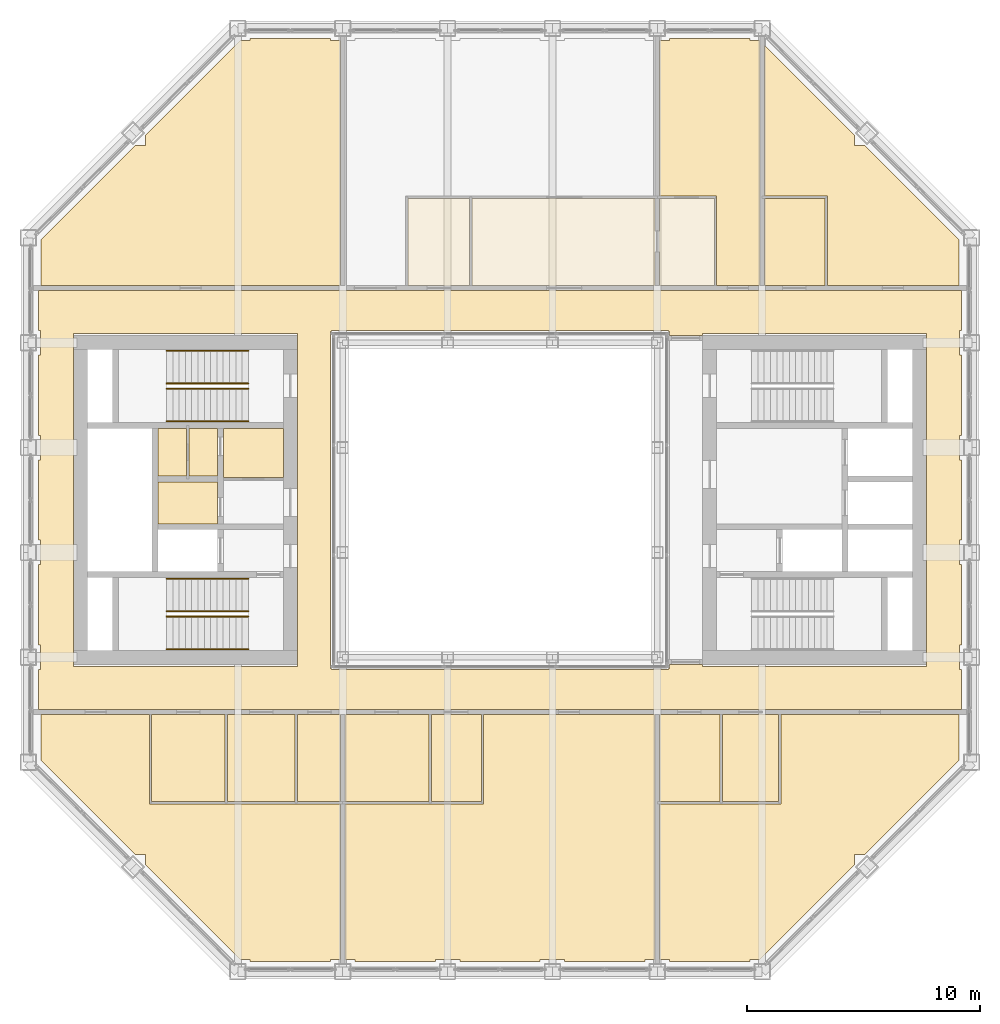
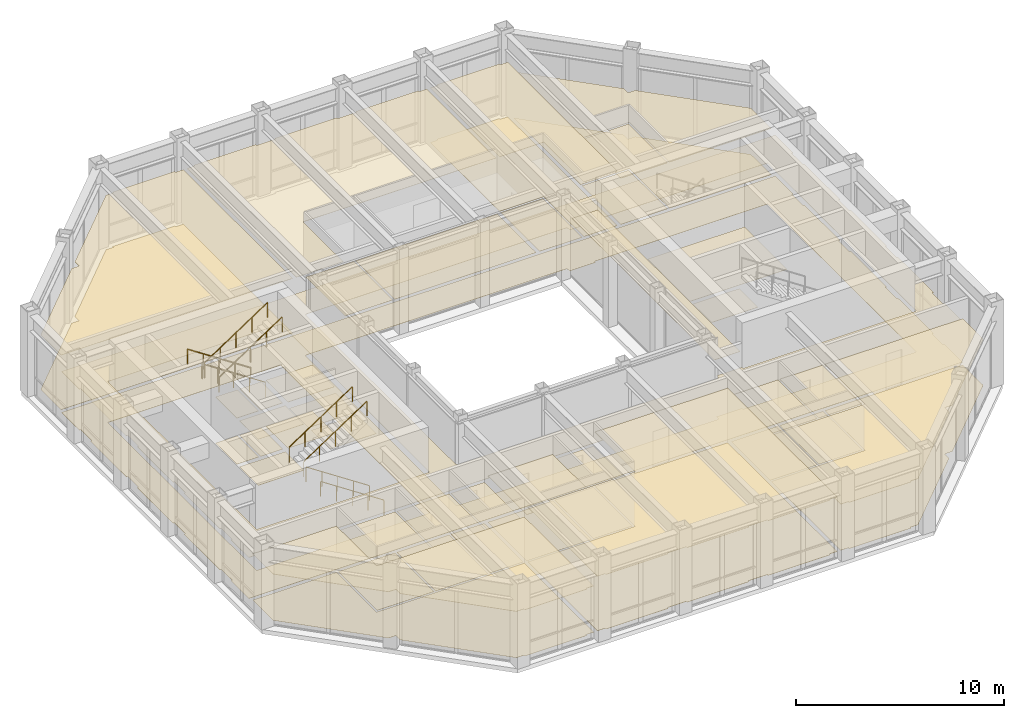
# One storey, part 14 of 15: 8 coverings, 8 railings.
"""IFC4 building model written with IfcOpenShell, lengths in metres."""

from ifc_helpers import new_model, si_unit, direction, frame, origin, origin_2d, place, context, subcontext, project, spatial, line, indexed_curve, circle, outline, extrude, material, layer, layer_set, type_object, element, save


model = new_model("IFC4")

# Units and contexts
model_context = context("Model", 3, precision=1e-05, world=origin(), true_north=direction((0.0, 1.0)))
body_context = subcontext(model_context, "Body", "Model", "MODEL_VIEW")
ifc_project = project(units=[si_unit("LENGTHUNIT", "METRE"), si_unit("AREAUNIT", "SQUARE_METRE"), si_unit("VOLUMEUNIT", "CUBIC_METRE"), si_unit("PLANEANGLEUNIT", "RADIAN"), si_unit("MASSUNIT", "GRAM", prefix="KILO")], contexts=[model_context])

# Site, building, storey
site_placement = place(None, origin())
site = spatial("IfcSite", under=ifc_project, at=site_placement, CompositionType="ELEMENT")
building_placement = place(site_placement, origin())
building = spatial("IfcBuilding", under=site, at=building_placement, Name="Msasa Ring Tower", CompositionType="ELEMENT")
storey_placement = place(building_placement, frame((0.0, 0.0, 257.050048828125)))
storey = spatial("IfcBuildingStorey", under=building, at=storey_placement, Name="L67", CompositionType="ELEMENT", Elevation=257.050048828125)

# Coverings
ifc_material_1 = material(Name="Gypsum plasterboard on a steel suspension grid", Category="steel")
ifc_layer_1 = layer(ifc_material_1, 0.014892578125)
ifc_layer_set_1 = layer_set([ifc_layer_1], Name="C1 SUSPENDED PLASTERBOARD CEILING 15")
covering_type_1 = type_object("IfcCoveringType", Name="C1 SUSPENDED PLASTERBOARD CEILING 15", PredefinedType="CEILING", material=ifc_layer_set_1)
covering_1_placement = place(storey_placement, frame((0.0, 0.0, 2.39990234375)))
element("IfcCovering", 1, at=covering_1_placement, inside=storey, type_object=covering_type_1, Name="Suspended Plasterboard Ceiling 15 circulation L67", PredefinedType="CEILING", context=body_context, shape_type="SweptSolid", body=[
    extrude(outline(indexed_curve([(19.799560546875, 7.275390625), (19.724609375, 7.275390625), (19.724609375, 6.224609375), (19.799560546875, 6.224609375), (19.799560546875, 2.775390625), (19.724609375, 2.775390625), (19.724609375, 1.724609375), (19.799560546875, 1.724609375), (19.799560546875, -1.724609375), (19.724609375, -1.724609375), (19.724609375, -2.775390625), (19.799560546875, -2.775390625), (19.799560546875, -6.224609375), (19.724609375, -6.224609375), (19.724609375, -7.275390625), (19.799560546875, -7.275390625), (19.799560546875, -8.99951171875), (-19.799560546875, -8.99951171875), (-19.799560546875, -7.275390625), (-19.724609375, -7.275390625), (-19.724609375, -6.224609375), (-19.799560546875, -6.224609375), (-19.799560546875, -2.775390625), (-19.724609375, -2.775390625), (-19.724609375, -1.724609375), (-19.799560546875, -1.724609375), (-19.799560546875, 1.724609375), (-19.724609375, 1.724609375), (-19.724609375, 2.775390625), (-19.799560546875, 2.775390625), (-19.799560546875, 6.224609375), (-19.724609375, 6.224609375), (-19.724609375, 7.275390625), (-19.799560546875, 7.275390625), (-19.799560546875, 8.99951171875), (19.799560546875, 8.99951171875)], segments=[line(1, 2, 3, 4, 5, 6, 7, 8, 9, 10, 11, 12, 13, 14, 15, 16, 17, 18, 19, 20, 21, 22, 23, 24, 25, 26, 27, 28, 29, 30, 31, 32, 33, 34, 35, 36, 1)], self_intersect=False), holes=[indexed_curve([(8.699462890625, -7.150390625), (18.300537109375, -7.150390625), (18.300537109375, 7.150390625), (8.699462890625, 7.150390625), (8.699462890625, 7.050537109375), (7.280029296875, 7.050537109375), (7.280517578125, 7.23046875), (7.22998046875, 7.23046875), (7.22998046875, 7.280029296875), (-7.22998046875, 7.280029296875), (-7.22998046875, 7.23046875), (-7.280517578125, 7.23046875), (-7.280517578125, -7.23046875), (-7.22998046875, -7.23046875), (-7.22998046875, -7.280029296875), (7.22998046875, -7.280029296875), (7.22998046875, -7.23046875), (7.280517578125, -7.23046875), (7.280029296875, -7.050537109375), (8.699462890625, -7.050537109375)], segments=[line(1, 2, 3, 4, 5, 6, 7, 8, 9, 10, 11, 12, 13, 14, 15, 16, 17, 18, 19, 20, 1)], self_intersect=False), indexed_curve([(-8.699462890625, -7.150390625), (-8.699462890625, 7.150390625), (-18.300537109375, 7.150390625), (-18.300537109375, -7.150390625)], segments=[line(1, 2, 3, 4, 1)], self_intersect=False)]), origin(), (0.0, 0.0, 1.0), 0.01513671875),
    extrude(outline(indexed_curve([(-9.300537109375, -3.074462890625), (-11.87451171875, -3.074462890625), (-11.87451171875, -1.275390625), (-9.300537109375, -1.275390625)], segments=[line(1, 2, 3, 4, 1)], self_intersect=False)), origin(), (0.0, 0.0, 1.0), 0.01513671875),
    extrude(outline(indexed_curve([(-9.300537109375, -1.0244140625), (-11.87451171875, -1.0244140625), (-11.87451171875, 0.844482421875), (-9.300537109375, 0.844482421875)], segments=[line(1, 2, 3, 4, 1)], self_intersect=False)), origin(), (0.0, 0.0, 1.0), 0.01513671875),
    extrude(outline(indexed_curve([(11.87451171875, -3.074462890625), (9.300537109375, -3.074462890625), (9.300537109375, -1.275390625), (11.87451171875, -1.275390625)], segments=[line(1, 2, 3, 4, 1)], self_intersect=False)), origin(), (0.0, 0.0, 1.0), 0.01513671875),
    extrude(outline(indexed_curve([(9.300537109375, -1.0244140625), (9.300537109375, 3.074462890625), (14.674560546875, 3.074462890625), (14.674560546875, -1.0244140625)], segments=[line(1, 2, 3, 4, 1)], self_intersect=False)), origin(), (0.0, 0.0, 1.0), 0.01513671875),
])
covering_2_placement = place(storey_placement, frame((0.0, 0.0, 3.199951171875)))
element("IfcCovering", 2, at=covering_2_placement, inside=storey, type_object=covering_type_1, Name="Suspended Plasterboard Ceiling 15 public rooms L67", PredefinedType="CEILING", context=body_context, shape_type="SweptSolid", body=[
    extrude(outline(indexed_curve([(-15.638427734375, 15.224609375), (-15.224609375, 15.224609375), (-15.224609375, 15.638427734375), (-11.138427734375, 19.724609375), (-10.724609375, 19.724609375), (-10.724609375, 19.799560546875), (-7.275390625, 19.799560546875), (-7.275390625, 19.724609375), (-6.8505859375, 19.724609375), (-6.8505859375, 9.200439453125), (-19.699462890625, 9.200439453125), (-19.699462890625, 11.163330078125)], segments=[line(1, 2, 3, 4, 5, 6, 7, 8, 9, 10, 11, 12, 1)], self_intersect=False)), origin(), (0.0, 0.0, 1.0), 0.014892578125),
    extrude(outline(indexed_curve([(-0.699462890625, -13.050537109375), (-0.699462890625, -9.200439453125), (6.6494140625, -9.200439453125), (6.6494140625, -19.724609375), (6.224609375, -19.724609375), (6.224609375, -19.799560546875), (2.775390625, -19.799560546875), (2.775390625, -19.724609375), (1.724609375, -19.724609375), (1.724609375, -19.799560546875), (-1.724609375, -19.799560546875), (-1.724609375, -19.724609375), (-2.775390625, -19.724609375), (-2.775390625, -19.799560546875), (-6.224609375, -19.799560546875), (-6.224609375, -19.724609375), (-6.6494140625, -19.724609375), (-6.6494140625, -13.050537109375)], segments=[line(1, 2, 3, 4, 5, 6, 7, 8, 9, 10, 11, 12, 13, 14, 15, 16, 17, 18, 1)], self_intersect=False)), origin(), (0.0, 0.0, 1.0), 0.014892578125),
    extrude(outline(indexed_curve([(-4.050537109375, 13.050537109375), (-4.050537109375, 9.200439453125), (-6.6494140625, 9.200439453125), (-6.6494140625, 19.724609375), (-6.224609375, 19.724609375), (-6.224609375, 19.799560546875), (-2.775390625, 19.799560546875), (-2.775390625, 19.724609375), (-1.724609375, 19.724609375), (-1.724609375, 19.799560546875), (1.724609375, 19.799560546875), (1.724609375, 19.724609375), (2.775390625, 19.724609375), (2.775390625, 19.799560546875), (6.224609375, 19.799560546875), (6.224609375, 19.724609375), (6.6494140625, 19.724609375), (6.6494140625, 13.050537109375)], segments=[line(1, 2, 3, 4, 5, 6, 7, 8, 9, 10, 11, 12, 13, 14, 15, 16, 17, 18, 1)], self_intersect=False)), origin(), (0.0, 0.0, 1.0), 0.014892578125),
    extrude(outline(indexed_curve([(10.724609375, 19.799560546875), (10.724609375, 19.724609375), (11.138427734375, 19.724609375), (11.1494140625, 19.71337890625), (11.1494140625, 9.200439453125), (9.300537109375, 9.200439453125), (9.300537109375, 13.050537109375), (6.8505859375, 13.050537109375), (6.8505859375, 19.724609375), (7.275390625, 19.724609375), (7.275390625, 19.799560546875)], segments=[line(1, 2, 3, 4, 5, 6, 7, 8, 9, 10, 11, 1)], self_intersect=False)), origin(), (0.0, 0.0, 1.0), 0.014892578125),
    extrude(outline(indexed_curve([(8.699462890625, -6.849609375), (7.280029296875, -6.849609375), (7.280029296875, 6.849609375), (8.699462890625, 6.849609375)], segments=[line(1, 2, 3, 4, 1)], self_intersect=False)), origin(), (0.0, 0.0, 1.0), 0.014892578125),
])
covering_3_placement = place(storey_placement, frame((0.0, 0.0, 2.699951171875)))
element("IfcCovering", 3, at=covering_3_placement, inside=storey, type_object=covering_type_1, Name="Suspended Plasterboard Ceiling 15 L67", PredefinedType="CEILING", context=body_context, shape_type="SweptSolid", body=[
    extrude(outline(indexed_curve([(-12.12548828125, -1.0244140625), (-14.674560546875, -1.0244140625), (-14.674560546875, 0.7744140625), (-12.12548828125, 0.7744140625)], segments=[line(1, 2, 3, 4, 1)], self_intersect=False)), origin(), (0.0, 0.0, 1.0), 0.014892578125),
    extrude(outline(indexed_curve([(-13.45556640625, 3.074462890625), (-13.45556640625, 1.025390625), (-14.674560546875, 1.025390625), (-14.674560546875, 3.074462890625)], segments=[line(1, 2, 3, 4, 1)], self_intersect=False)), origin(), (0.0, 0.0, 1.0), 0.014892578125),
])
ifc_material_2 = material(Name="Moisture-resistant gypsum plasterboard on a steel suspension grid", Category="steel")
ifc_layer_2 = layer(ifc_material_2, 0.014892578125)
ifc_layer_set_2 = layer_set([ifc_layer_2], Name="C2 MOISTURE-RESISTANT PLASTERBOARD CEILING 15")
covering_type_2 = type_object("IfcCoveringType", Name="C2 MOISTURE-RESISTANT PLASTERBOARD CEILING 15", PredefinedType="CEILING", material=ifc_layer_set_2)
covering_4_placement = place(storey_placement, frame((0.0, 0.0, 2.39990234375)))
element("IfcCovering", 4, at=covering_4_placement, inside=storey, type_object=covering_type_2, Name="Moisture-Resistant Plasterboard Ceiling 15 L67", PredefinedType="CEILING", context=body_context, shape_type="SweptSolid", body=[
    extrude(outline(indexed_curve([(-11.800537109375, -12.949462890625), (-14.949462890625, -12.949462890625), (-14.949462890625, -9.200439453125), (-11.800537109375, -9.200439453125)], segments=[line(1, 2, 3, 4, 1)], self_intersect=False)), origin(), (0.0, 0.0, 1.0), 0.01513671875),
    extrude(outline(indexed_curve([(-8.800537109375, -12.949462890625), (-11.699462890625, -12.949462890625), (-11.699462890625, -9.200439453125), (-8.800537109375, -9.200439453125)], segments=[line(1, 2, 3, 4, 1)], self_intersect=False)), origin(), (0.0, 0.0, 1.0), 0.01513671875),
    extrude(outline(indexed_curve([(-8.699462890625, -12.949462890625), (-8.699462890625, -9.200439453125), (-6.8505859375, -9.200439453125), (-6.8505859375, -12.949462890625)], segments=[line(1, 2, 3, 4, 1)], self_intersect=False)), origin(), (0.0, 0.0, 1.0), 0.01513671875),
    extrude(outline(indexed_curve([(-0.800537109375, -12.949462890625), (-2.949462890625, -12.949462890625), (-2.949462890625, -9.200439453125), (-0.800537109375, -9.200439453125)], segments=[line(1, 2, 3, 4, 1)], self_intersect=False)), origin(), (0.0, 0.0, 1.0), 0.01513671875),
])
ifc_material_3 = material(Name="Mineral fibre ceiling tiles on an exposed steel grid", Category="steel")
ifc_layer_3 = layer(ifc_material_3, 0.02001953125)
ifc_layer_set_3 = layer_set([ifc_layer_3], Name="C3 ACOUSTIC MINERAL FIBRE TILE CEILING 20")
covering_type_3 = type_object("IfcCoveringType", Name="C3 ACOUSTIC MINERAL FIBRE TILE CEILING 20", PredefinedType="CEILING", material=ifc_layer_set_3)
covering_5_placement = place(storey_placement, frame((0.0, 0.0, 2.699951171875)))
element("IfcCovering", 5, at=covering_5_placement, inside=storey, type_object=covering_type_3, Name="Acoustic Mineral Fibre Tile Ceiling 20 L67", PredefinedType="CEILING", context=body_context, shape_type="SweptSolid", body=[
    extrude(outline(indexed_curve([(-10.724609375, -19.799560546875), (-10.724609375, -19.724609375), (-11.138427734375, -19.724609375), (-15.224609375, -15.638427734375), (-15.224609375, -15.224609375), (-15.638427734375, -15.224609375), (-19.699462890625, -11.163330078125), (-19.699462890625, -9.200439453125), (-15.050537109375, -9.200439453125), (-15.050537109375, -13.050537109375), (-6.8505859375, -13.050537109375), (-6.8505859375, -19.724609375), (-7.275390625, -19.724609375), (-7.275390625, -19.799560546875)], segments=[line(1, 2, 3, 4, 5, 6, 7, 8, 9, 10, 11, 12, 13, 14, 1)], self_intersect=False)), origin(), (0.0, 0.0, 1.0), 0.02001953125),
    extrude(outline(indexed_curve([(-13.344482421875, 3.074462890625), (-12.12548828125, 3.074462890625), (-12.12548828125, 1.025390625), (-13.344482421875, 1.025390625)], segments=[line(1, 2, 3, 4, 1)], self_intersect=False)), origin(), (0.0, 0.0, 1.0), 0.02001953125),
    extrude(outline(indexed_curve([(-11.87451171875, 0.95556640625), (-11.87451171875, 3.074462890625), (-9.300537109375, 3.074462890625), (-9.300537109375, 0.95556640625)], segments=[line(1, 2, 3, 4, 1)], self_intersect=False)), origin(), (0.0, 0.0, 1.0), 0.02001953125),
    extrude(outline(indexed_curve([(-6.6494140625, -12.949462890625), (-6.6494140625, -9.200439453125), (-3.050537109375, -9.200439453125), (-3.050537109375, -12.949462890625)], segments=[line(1, 2, 3, 4, 1)], self_intersect=False)), origin(), (0.0, 0.0, 1.0), 0.02001953125),
    extrude(outline(indexed_curve([(12.050537109375, -13.050537109375), (12.050537109375, -9.200439453125), (19.699462890625, -9.200439453125), (19.699462890625, -11.163330078125), (15.638427734375, -15.224609375), (15.224609375, -15.224609375), (15.224609375, -15.638427734375), (11.138427734375, -19.724609375), (10.724609375, -19.724609375), (10.724609375, -19.799560546875), (7.275390625, -19.799560546875), (7.275390625, -19.724609375), (6.8505859375, -19.724609375), (6.8505859375, -13.050537109375)], segments=[line(1, 2, 3, 4, 5, 6, 7, 8, 9, 10, 11, 12, 13, 14, 1)], self_intersect=False)), origin(), (0.0, 0.0, 1.0), 0.02001953125),
    extrude(outline(indexed_curve([(6.8505859375, -12.949462890625), (6.8505859375, -9.200439453125), (9.449462890625, -9.200439453125), (9.449462890625, -12.949462890625)], segments=[line(1, 2, 3, 4, 1)], self_intersect=False)), origin(), (0.0, 0.0, 1.0), 0.02001953125),
    extrude(outline(indexed_curve([(9.550537109375, -12.949462890625), (9.550537109375, -9.200439453125), (11.949462890625, -9.200439453125), (11.949462890625, -12.949462890625)], segments=[line(1, 2, 3, 4, 1)], self_intersect=False)), origin(), (0.0, 0.0, 1.0), 0.02001953125),
    extrude(outline(indexed_curve([(15.224609375, 15.638427734375), (15.224609375, 15.224609375), (15.638427734375, 15.224609375), (19.699462890625, 11.163330078125), (19.699462890625, 9.200439453125), (14.050537109375, 9.200439453125), (14.050537109375, 13.050537109375), (11.3505859375, 13.050537109375), (11.3505859375, 19.512451171875)], segments=[line(1, 2, 3, 4, 5, 6, 7, 8, 9, 1)], self_intersect=False)), origin(), (0.0, 0.0, 1.0), 0.02001953125),
    extrude(outline(indexed_curve([(11.3505859375, 12.949462890625), (13.949462890625, 12.949462890625), (13.949462890625, 9.200439453125), (11.3505859375, 9.200439453125)], segments=[line(1, 2, 3, 4, 1)], self_intersect=False)), origin(), (0.0, 0.0, 1.0), 0.02001953125),
])
ifc_material_4 = material(Name="Wool-blend carpet on felt underlay", Category="textile")
ifc_layer_4 = layer(ifc_material_4, 0.011962890625)
ifc_layer_set_4 = layer_set([ifc_layer_4], Name="F2 CARPET ON UNDERLAY 12")
covering_type_4 = type_object("IfcCoveringType", Name="F2 CARPET ON UNDERLAY 12", PredefinedType="FLOORING", material=ifc_layer_set_4)
covering_6_placement = place(storey_placement, origin())
element("IfcCovering", 6, at=covering_6_placement, inside=storey, type_object=covering_type_4, Name="Carpet On Underlay 12 L67", PredefinedType="FLOORING", context=body_context, shape_type="SweptSolid", body=[
    extrude(outline(indexed_curve([(19.799560546875, 7.275390625), (19.724609375, 7.275390625), (19.724609375, 6.224609375), (19.799560546875, 6.224609375), (19.799560546875, 2.775390625), (19.724609375, 2.775390625), (19.724609375, 1.724609375), (19.799560546875, 1.724609375), (19.799560546875, -1.724609375), (19.724609375, -1.724609375), (19.724609375, -2.775390625), (19.799560546875, -2.775390625), (19.799560546875, -6.224609375), (19.724609375, -6.224609375), (19.724609375, -7.275390625), (19.799560546875, -7.275390625), (19.799560546875, -8.99951171875), (-19.799560546875, -8.99951171875), (-19.799560546875, -7.275390625), (-19.724609375, -7.275390625), (-19.724609375, -6.224609375), (-19.799560546875, -6.224609375), (-19.799560546875, -2.775390625), (-19.724609375, -2.775390625), (-19.724609375, -1.724609375), (-19.799560546875, -1.724609375), (-19.799560546875, 1.724609375), (-19.724609375, 1.724609375), (-19.724609375, 2.775390625), (-19.799560546875, 2.775390625), (-19.799560546875, 6.224609375), (-19.724609375, 6.224609375), (-19.724609375, 7.275390625), (-19.799560546875, 7.275390625), (-19.799560546875, 8.99951171875), (19.799560546875, 8.99951171875)], segments=[line(1, 2, 3, 4, 5, 6, 7, 8, 9, 10, 11, 12, 13, 14, 15, 16, 17, 18, 19, 20, 21, 22, 23, 24, 25, 26, 27, 28, 29, 30, 31, 32, 33, 34, 35, 36, 1)], self_intersect=False), holes=[indexed_curve([(8.699462890625, -7.150390625), (18.300537109375, -7.150390625), (18.300537109375, 7.150390625), (8.699462890625, 7.150390625), (8.699462890625, 7.050537109375), (7.280029296875, 7.050537109375), (7.280517578125, 7.23046875), (7.22998046875, 7.23046875), (7.22998046875, 7.280029296875), (-7.22998046875, 7.280029296875), (-7.22998046875, 7.23046875), (-7.280517578125, 7.23046875), (-7.280517578125, -7.23046875), (-7.22998046875, -7.23046875), (-7.22998046875, -7.280029296875), (7.22998046875, -7.280029296875), (7.22998046875, -7.23046875), (7.280517578125, -7.23046875), (7.280029296875, -7.050537109375), (8.699462890625, -7.050537109375)], segments=[line(1, 2, 3, 4, 5, 6, 7, 8, 9, 10, 11, 12, 13, 14, 15, 16, 17, 18, 19, 20, 1)], self_intersect=False), indexed_curve([(-8.699462890625, 7.150390625), (-18.300537109375, 7.150390625), (-18.300537109375, -7.150390625), (-8.699462890625, -7.150390625)], segments=[line(1, 2, 3, 4, 1)], self_intersect=False)]), origin(), (0.0, 0.0, 1.0), 0.011962890625),
    extrude(outline(indexed_curve([(-19.699462890625, 9.200439453125), (-19.699462890625, 11.163330078125), (-15.638427734375, 15.224609375), (-15.224609375, 15.224609375), (-15.224609375, 15.638427734375), (-11.138427734375, 19.724609375), (-10.724609375, 19.724609375), (-10.724609375, 19.799560546875), (-7.275390625, 19.799560546875), (-7.275390625, 19.724609375), (-6.8505859375, 19.724609375), (-6.8505859375, 9.200439453125)], segments=[line(1, 2, 3, 4, 5, 6, 7, 8, 9, 10, 11, 12, 1)], self_intersect=False)), origin(), (0.0, 0.0, 1.0), 0.011962890625),
    extrude(outline(indexed_curve([(-14.674560546875, 0.7744140625), (-12.12548828125, 0.7744140625), (-12.12548828125, -1.0244140625), (-14.674560546875, -1.0244140625)], segments=[line(1, 2, 3, 4, 1)], self_intersect=False)), origin(), (0.0, 0.0, 1.0), 0.011962890625),
    extrude(outline(indexed_curve([(-14.674560546875, 3.074462890625), (-13.45556640625, 3.074462890625), (-13.45556640625, 1.025390625), (-14.674560546875, 1.025390625)], segments=[line(1, 2, 3, 4, 1)], self_intersect=False)), origin(), (0.0, 0.0, 1.0), 0.011962890625),
    extrude(outline(indexed_curve([(-0.699462890625, -13.050537109375), (-0.699462890625, -9.200439453125), (6.6494140625, -9.200439453125), (6.6494140625, -19.724609375), (6.224609375, -19.724609375), (6.224609375, -19.799560546875), (2.775390625, -19.799560546875), (2.775390625, -19.724609375), (1.724609375, -19.724609375), (1.724609375, -19.799560546875), (-1.724609375, -19.799560546875), (-1.724609375, -19.724609375), (-2.775390625, -19.724609375), (-2.775390625, -19.799560546875), (-6.224609375, -19.799560546875), (-6.224609375, -19.724609375), (-6.6494140625, -19.724609375), (-6.6494140625, -13.050537109375)], segments=[line(1, 2, 3, 4, 5, 6, 7, 8, 9, 10, 11, 12, 13, 14, 15, 16, 17, 18, 1)], self_intersect=False)), origin(), (0.0, 0.0, 1.0), 0.011962890625),
    extrude(outline(indexed_curve([(10.724609375, 19.799560546875), (10.724609375, 19.724609375), (11.138427734375, 19.724609375), (11.1494140625, 19.71337890625), (11.1494140625, 9.200439453125), (9.300537109375, 9.200439453125), (9.300537109375, 13.050537109375), (6.8505859375, 13.050537109375), (6.8505859375, 19.724609375), (7.275390625, 19.724609375), (7.275390625, 19.799560546875)], segments=[line(1, 2, 3, 4, 5, 6, 7, 8, 9, 10, 11, 1)], self_intersect=False)), origin(), (0.0, 0.0, 1.0), 0.011962890625),
])
ifc_material_5 = material(Name="Porcelain floor tiles in adhesive", Category="ceramic")
ifc_layer_5 = layer(ifc_material_5, 0.010009765625)
ifc_layer_set_5 = layer_set([ifc_layer_5], Name="F4 PORCELAIN TILE ON ADHESIVE 10")
covering_type_5 = type_object("IfcCoveringType", Name="F4 PORCELAIN TILE ON ADHESIVE 10", PredefinedType="FLOORING", material=ifc_layer_set_5)
covering_7_placement = place(storey_placement, origin())
element("IfcCovering", 7, at=covering_7_placement, inside=storey, type_object=covering_type_5, Name="Porcelain Tile On Adhesive 10 L67", PredefinedType="FLOORING", context=body_context, shape_type="SweptSolid", body=[
    extrude(outline(indexed_curve([(-14.949462890625, -12.949462890625), (-14.949462890625, -9.200439453125), (-11.800537109375, -9.200439453125), (-11.800537109375, -12.949462890625)], segments=[line(1, 2, 3, 4, 1)], self_intersect=False)), origin(), (0.0, 0.0, 1.0), 0.010009765625),
    extrude(outline(indexed_curve([(-11.699462890625, -12.949462890625), (-11.699462890625, -9.200439453125), (-8.800537109375, -9.200439453125), (-8.800537109375, -12.949462890625)], segments=[line(1, 2, 3, 4, 1)], self_intersect=False)), origin(), (0.0, 0.0, 1.0), 0.010009765625),
    extrude(outline(indexed_curve([(-8.699462890625, -12.949462890625), (-8.699462890625, -9.200439453125), (-6.8505859375, -9.200439453125), (-6.8505859375, -12.949462890625)], segments=[line(1, 2, 3, 4, 1)], self_intersect=False)), origin(), (0.0, 0.0, 1.0), 0.010009765625),
    extrude(outline(indexed_curve([(-2.949462890625, -12.949462890625), (-2.949462890625, -9.200439453125), (-0.800537109375, -9.200439453125), (-0.800537109375, -12.949462890625)], segments=[line(1, 2, 3, 4, 1)], self_intersect=False)), origin(), (0.0, 0.0, 1.0), 0.010009765625),
])
ifc_material_6 = material(Name="Welded vinyl safety sheet flooring", Category="vinyl")
ifc_layer_6 = layer(ifc_material_6, 0.0029296875)
ifc_layer_set_6 = layer_set([ifc_layer_6], Name="F5 RESILIENT SHEET FLOORING 3")
covering_type_6 = type_object("IfcCoveringType", Name="F5 RESILIENT SHEET FLOORING 3", PredefinedType="FLOORING", material=ifc_layer_set_6)
covering_8_placement = place(storey_placement, origin())
element("IfcCovering", 8, at=covering_8_placement, inside=storey, type_object=covering_type_6, Name="Resilient Sheet Flooring 3 L67", PredefinedType="FLOORING", context=body_context, shape_type="SweptSolid", body=[
    extrude(outline(indexed_curve([(-10.724609375, -19.799560546875), (-10.724609375, -19.724609375), (-11.138427734375, -19.724609375), (-15.224609375, -15.638427734375), (-15.224609375, -15.224609375), (-15.638427734375, -15.224609375), (-19.699462890625, -11.163330078125), (-19.699462890625, -9.200439453125), (-15.050537109375, -9.200439453125), (-15.050537109375, -13.050537109375), (-6.8505859375, -13.050537109375), (-6.8505859375, -19.724609375), (-7.275390625, -19.724609375), (-7.275390625, -19.799560546875)], segments=[line(1, 2, 3, 4, 5, 6, 7, 8, 9, 10, 11, 12, 13, 14, 1)], self_intersect=False)), origin(), (0.0, 0.0, 1.0), 0.0029296875),
    extrude(outline(indexed_curve([(-13.344482421875, 3.074462890625), (-12.12548828125, 3.074462890625), (-12.12548828125, 1.025390625), (-13.344482421875, 1.025390625)], segments=[line(1, 2, 3, 4, 1)], self_intersect=False)), origin(), (0.0, 0.0, 1.0), 0.0029296875),
    extrude(outline(indexed_curve([(-9.300537109375, 3.074462890625), (-9.300537109375, 0.95556640625), (-11.87451171875, 0.95556640625), (-11.87451171875, 3.074462890625)], segments=[line(1, 2, 3, 4, 1)], self_intersect=False)), origin(), (0.0, 0.0, 1.0), 0.0029296875),
    extrude(outline(indexed_curve([(-3.050537109375, -9.200439453125), (-3.050537109375, -12.949462890625), (-6.6494140625, -12.949462890625), (-6.6494140625, -9.200439453125)], segments=[line(1, 2, 3, 4, 1)], self_intersect=False)), origin(), (0.0, 0.0, 1.0), 0.0029296875),
    extrude(outline(indexed_curve([(-1.300537109375, 12.949462890625), (-1.300537109375, 9.200439453125), (-3.949462890625, 9.200439453125), (-3.949462890625, 12.949462890625)], segments=[line(1, 2, 3, 4, 1)], self_intersect=False)), origin(), (0.0, 0.0, 1.0), 0.0029296875),
    extrude(outline(indexed_curve([(6.6494140625, 12.949462890625), (6.6494140625, 9.200439453125), (-1.199462890625, 9.200439453125), (-1.199462890625, 12.949462890625)], segments=[line(1, 2, 3, 4, 1)], self_intersect=False)), origin(), (0.0, 0.0, 1.0), 0.0029296875),
    extrude(outline(indexed_curve([(12.050537109375, -9.200439453125), (19.699462890625, -9.200439453125), (19.699462890625, -11.163330078125), (15.638427734375, -15.224609375), (15.224609375, -15.224609375), (15.224609375, -15.638427734375), (11.138427734375, -19.724609375), (10.724609375, -19.724609375), (10.724609375, -19.799560546875), (7.275390625, -19.799560546875), (7.275390625, -19.724609375), (6.8505859375, -19.724609375), (6.8505859375, -13.050537109375), (12.050537109375, -13.050537109375)], segments=[line(1, 2, 3, 4, 5, 6, 7, 8, 9, 10, 11, 12, 13, 14, 1)], self_intersect=False)), origin(), (0.0, 0.0, 1.0), 0.0029296875),
    extrude(outline(indexed_curve([(9.449462890625, -9.200439453125), (9.449462890625, -12.949462890625), (6.8505859375, -12.949462890625), (6.8505859375, -9.200439453125)], segments=[line(1, 2, 3, 4, 1)], self_intersect=False)), origin(), (0.0, 0.0, 1.0), 0.0029296875),
    extrude(outline(indexed_curve([(9.199462890625, 12.949462890625), (9.199462890625, 9.200439453125), (6.8505859375, 9.200439453125), (6.8505859375, 12.949462890625)], segments=[line(1, 2, 3, 4, 1)], self_intersect=False)), origin(), (0.0, 0.0, 1.0), 0.0029296875),
    extrude(outline(indexed_curve([(11.949462890625, -9.200439453125), (11.949462890625, -12.949462890625), (9.550537109375, -12.949462890625), (9.550537109375, -9.200439453125)], segments=[line(1, 2, 3, 4, 1)], self_intersect=False)), origin(), (0.0, 0.0, 1.0), 0.0029296875),
    extrude(outline(indexed_curve([(19.699462890625, 9.200439453125), (14.050537109375, 9.200439453125), (14.050537109375, 13.050537109375), (11.3505859375, 13.050537109375), (11.3505859375, 19.512451171875), (15.224609375, 15.638427734375), (15.224609375, 15.224609375), (15.638427734375, 15.224609375), (19.699462890625, 11.163330078125)], segments=[line(1, 2, 3, 4, 5, 6, 7, 8, 9, 1)], self_intersect=False)), origin(), (0.0, 0.0, 1.0), 0.0029296875),
    extrude(outline(indexed_curve([(13.949462890625, 12.949462890625), (13.949462890625, 9.200439453125), (11.3505859375, 9.200439453125), (11.3505859375, 12.949462890625)], segments=[line(1, 2, 3, 4, 1)], self_intersect=False)), origin(), (0.0, 0.0, 1.0), 0.0029296875),
])

# Railings
ifc_material_7 = material(Name="Stainless steel", Category="steel")
railing_type = type_object("IfcRailingType", Name="HR1 HANDRAIL 900", PredefinedType="HANDRAIL", material=ifc_material_7)
for number, where, name in (
    (9, (-10.800048828125, -6.39990234375, 0.178466796875), "Handrail stair SWA L67 1"),
    (10, (-10.800048828125, -5.0, 0.178466796875), "Handrail stair SWA L67 2"),
):
    element("IfcRailing", number, at=place(storey_placement, frame(where)), inside=storey, type_object=railing_type, Name=name, PredefinedType="HANDRAIL", context=body_context, shape_type="SweptSolid", body=[
        extrude(circle(Radius=0.02392578125, at=origin_2d()), frame((0.0, 0.0, 0.8759765625), z_axis=(-0.834070780157, 0.0, 0.551657442339), x_axis=(0.0, -1.0, 0.0)), (0.0, 0.0, 1.0), 4.208251953125),
        extrude(circle(Radius=0.02099609375, at=origin_2d()), origin(), (0.0, 0.0, 1.0), 0.851806640625),
        extrude(circle(Radius=0.02099609375, at=origin_2d()), frame((-0.87744140625, 0.0, 0.580322265625)), (0.0, 0.0, 1.0), 0.851806640625),
        extrude(circle(Radius=0.02099609375, at=origin_2d()), frame((-1.7548828125, 0.0, 1.16064453125)), (0.0, 0.0, 1.0), 0.851806640625),
        extrude(circle(Radius=0.02099609375, at=origin_2d()), frame((-2.632568359375, 0.0, 1.7412109375)), (0.0, 0.0, 1.0), 0.851806640625),
        extrude(circle(Radius=0.02099609375, at=origin_2d()), frame((-3.510009765625, 0.0, 2.321533203125)), (0.0, 0.0, 1.0), 0.851806640625),
    ])
for number, where, name in (
    (11, (-14.31005859375, -4.77490234375, 2.678466796875), "Handrail stair SWA L67 3"),
    (12, (-14.31005859375, -3.375, 2.678466796875), "Handrail stair SWA L67 4"),
):
    element("IfcRailing", number, at=place(storey_placement, frame(where)), inside=storey, type_object=railing_type, Name=name, PredefinedType="HANDRAIL", context=body_context, shape_type="SweptSolid", body=[
        extrude(circle(Radius=0.02392578125, at=origin_2d()), frame((0.0, 0.0, 0.8759765625), z_axis=(0.834070780157, 0.0, 0.551657442339), x_axis=(0.0, 1.0, 0.0)), (0.0, 0.0, 1.0), 4.208251953125),
        extrude(circle(Radius=0.02099609375, at=origin_2d()), origin(), (0.0, 0.0, 1.0), 0.851806640625),
        extrude(circle(Radius=0.02099609375, at=origin_2d()), frame((0.87744140625, 0.0, 0.580322265625)), (0.0, 0.0, 1.0), 0.851806640625),
        extrude(circle(Radius=0.02099609375, at=origin_2d()), frame((1.7548828125, 0.0, 1.16064453125)), (0.0, 0.0, 1.0), 0.851806640625),
        extrude(circle(Radius=0.02099609375, at=origin_2d()), frame((2.632568359375, 0.0, 1.7412109375)), (0.0, 0.0, 1.0), 0.851806640625),
        extrude(circle(Radius=0.02099609375, at=origin_2d()), frame((3.510009765625, 0.0, 2.321533203125)), (0.0, 0.0, 1.0), 0.851806640625),
    ])
for number, where, name in (
    (13, (-10.800048828125, 5.0, 0.178466796875), "Handrail stair SWB L67 1"),
    (14, (-10.800048828125, 6.39990234375, 0.178466796875), "Handrail stair SWB L67 2"),
):
    element("IfcRailing", number, at=place(storey_placement, frame(where)), inside=storey, type_object=railing_type, Name=name, PredefinedType="HANDRAIL", context=body_context, shape_type="SweptSolid", body=[
        extrude(circle(Radius=0.02392578125, at=origin_2d()), frame((0.0, 0.0, 0.8759765625), z_axis=(-0.834070780157, 0.0, 0.551657442339), x_axis=(0.0, -1.0, 0.0)), (0.0, 0.0, 1.0), 4.208251953125),
        extrude(circle(Radius=0.02099609375, at=origin_2d()), origin(), (0.0, 0.0, 1.0), 0.851806640625),
        extrude(circle(Radius=0.02099609375, at=origin_2d()), frame((-0.87744140625, 0.0, 0.580322265625)), (0.0, 0.0, 1.0), 0.851806640625),
        extrude(circle(Radius=0.02099609375, at=origin_2d()), frame((-1.7548828125, 0.0, 1.16064453125)), (0.0, 0.0, 1.0), 0.851806640625),
        extrude(circle(Radius=0.02099609375, at=origin_2d()), frame((-2.632568359375, 0.0, 1.7412109375)), (0.0, 0.0, 1.0), 0.851806640625),
        extrude(circle(Radius=0.02099609375, at=origin_2d()), frame((-3.510009765625, 0.0, 2.321533203125)), (0.0, 0.0, 1.0), 0.851806640625),
    ])
for number, where, name in (
    (15, (-14.31005859375, 3.375, 2.678466796875), "Handrail stair SWB L67 3"),
    (16, (-14.31005859375, 4.77490234375, 2.678466796875), "Handrail stair SWB L67 4"),
):
    element("IfcRailing", number, at=place(storey_placement, frame(where)), inside=storey, type_object=railing_type, Name=name, PredefinedType="HANDRAIL", context=body_context, shape_type="SweptSolid", body=[
        extrude(circle(Radius=0.02392578125, at=origin_2d()), frame((0.0, 0.0, 0.8759765625), z_axis=(0.834070780157, 0.0, 0.551657442339), x_axis=(0.0, 1.0, 0.0)), (0.0, 0.0, 1.0), 4.208251953125),
        extrude(circle(Radius=0.02099609375, at=origin_2d()), origin(), (0.0, 0.0, 1.0), 0.851806640625),
        extrude(circle(Radius=0.02099609375, at=origin_2d()), frame((0.87744140625, 0.0, 0.580322265625)), (0.0, 0.0, 1.0), 0.851806640625),
        extrude(circle(Radius=0.02099609375, at=origin_2d()), frame((1.7548828125, 0.0, 1.16064453125)), (0.0, 0.0, 1.0), 0.851806640625),
        extrude(circle(Radius=0.02099609375, at=origin_2d()), frame((2.632568359375, 0.0, 1.7412109375)), (0.0, 0.0, 1.0), 0.851806640625),
        extrude(circle(Radius=0.02099609375, at=origin_2d()), frame((3.510009765625, 0.0, 2.321533203125)), (0.0, 0.0, 1.0), 0.851806640625),
    ])

save(model, "model.ifc")
